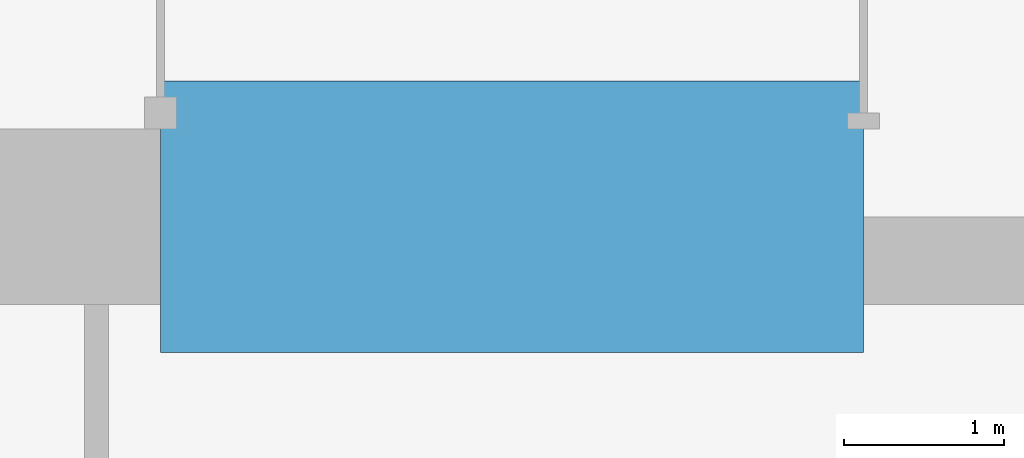
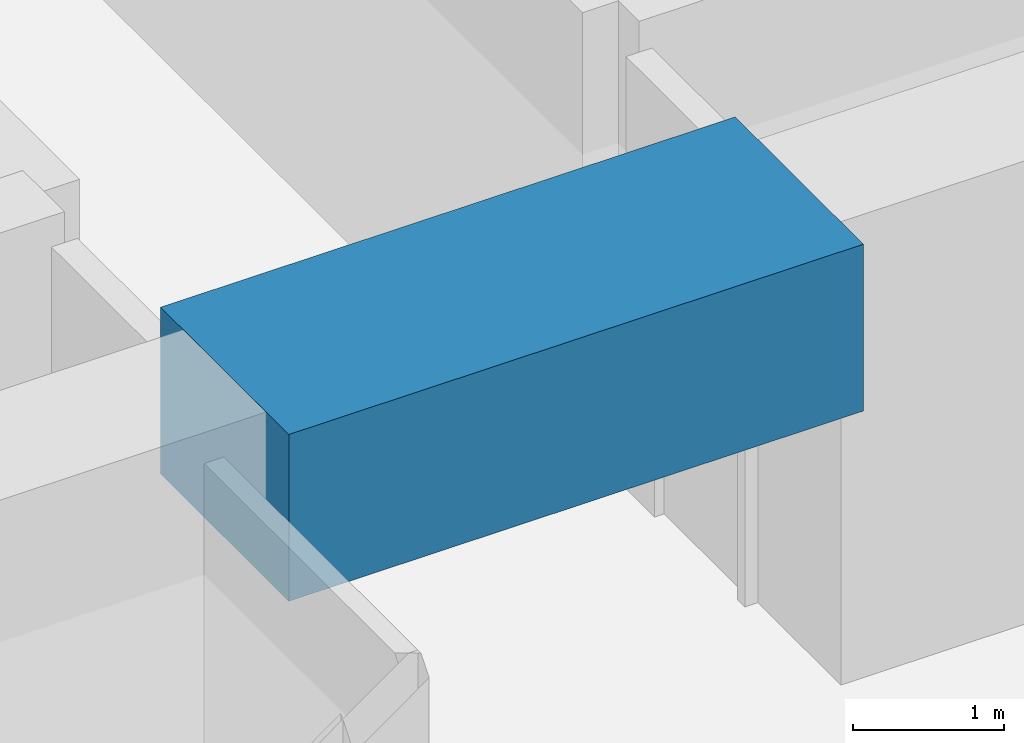
# One storey, part 13 of 42: 1 beam.
"""IFC4 building model written with IfcOpenShell, lengths in metres."""

from ifc_helpers import new_model, si_unit, direction, frame, origin, origin_2d, place, context, subcontext, project, spatial, rectangle, extrude, material, material_profile, profile_set, type_object, element, save


model = new_model("IFC4")

# Units and contexts
model_context = context("Model", 3, precision=1e-05, world=origin(), true_north=direction((0.0, 1.0)))
body_context = subcontext(model_context, "Body", "Model", "MODEL_VIEW")
ifc_project = project(units=[si_unit("LENGTHUNIT", "METRE"), si_unit("AREAUNIT", "SQUARE_METRE"), si_unit("VOLUMEUNIT", "CUBIC_METRE"), si_unit("PLANEANGLEUNIT", "RADIAN"), si_unit("MASSUNIT", "GRAM", prefix="KILO")], contexts=[model_context])

# Site, building, storey
site_placement = place(None, origin())
site = spatial("IfcSite", under=ifc_project, at=site_placement, CompositionType="ELEMENT")
building_placement = place(site_placement, origin())
building = spatial("IfcBuilding", under=site, at=building_placement, Name="Rekha Terrace Tower", CompositionType="ELEMENT")
storey_placement = place(building_placement, frame((0.0, 0.0, 40.39990234375)))
storey = spatial("IfcBuildingStorey", under=building, at=storey_placement, Name="L09", CompositionType="ELEMENT", Elevation=40.39990234375)

# Beam
ifc_material = material(Name="Concrete M70", Category="concrete")
ifc_material_profile = material_profile(ifc_material, rectangle(XDim=1.699951171875, YDim=1.35009765625, at=origin_2d()), Name="RC 1700x1350")
ifc_profile_set = profile_set([ifc_material_profile], Name="Concrete M70")
beam_type = type_object("IfcBeamType", Name="LB1A 1700x1350 diagonally reinforced coupling beam", PredefinedType="LINTEL", material=ifc_profile_set)
beam_placement = place(storey_placement, frame((35.60009765625, 21.0, 3.0751953125), z_axis=(1.0, 0.0, 0.0), x_axis=(0.0, 1.0, 0.0)))
element("IfcBeam", 1, at=beam_placement, inside=storey, type_object=beam_type, Name="Coupling beam LB1A S L09", PredefinedType="LINTEL", context=body_context, shape_type="SweptSolid", body=[
    extrude(rectangle(XDim=1.699951171875, YDim=1.35009765625, at=origin_2d()), origin(), (0.0, 0.0, 1.0), 4.39990234375),
])

save(model, "model.ifc")
